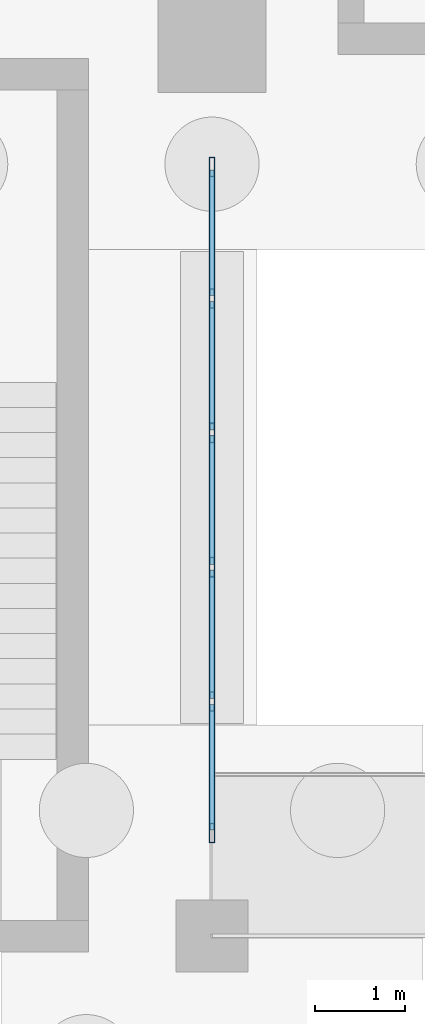
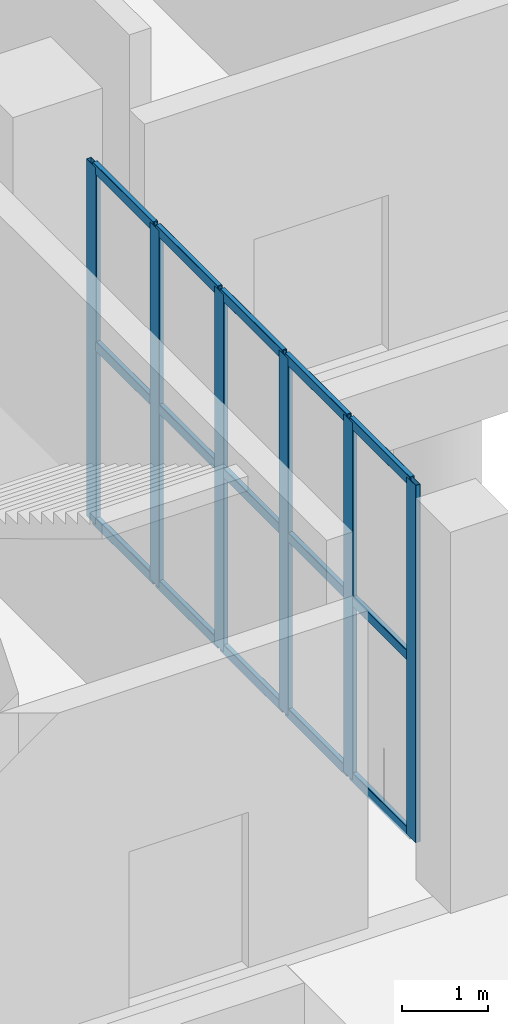
# One storey, part 36 of 70: 21 members, 1 element without a shape of its own.
"""IFC4 building model written with IfcOpenShell, lengths in metres."""

from ifc_helpers import new_model, si_unit, direction, frame, origin, origin_2d, place, context, subcontext, project, spatial, hollow_rectangle, extrude, material, layer, layer_set, material_profile, profile_set, type_object, element, aggregate, save


model = new_model("IFC4")

# Units and contexts
model_context = context("Model", 3, precision=1e-05, world=origin(), true_north=direction((0.0, 1.0)))
body_context = subcontext(model_context, "Body", "Model", "MODEL_VIEW")
ifc_project = project(units=[si_unit("LENGTHUNIT", "METRE"), si_unit("AREAUNIT", "SQUARE_METRE"), si_unit("VOLUMEUNIT", "CUBIC_METRE"), si_unit("PLANEANGLEUNIT", "RADIAN"), si_unit("MASSUNIT", "GRAM", prefix="KILO")], contexts=[model_context])

# Site, building, storey
site_placement = place(None, origin())
site = spatial("IfcSite", under=ifc_project, at=site_placement, CompositionType="ELEMENT")
building_placement = place(site_placement, origin())
building = spatial("IfcBuilding", under=site, at=building_placement, Name="Brinegate Civic Arena", CompositionType="ELEMENT")
storey_placement = place(building_placement, origin())
storey = spatial("IfcBuildingStorey", under=building, at=storey_placement, Name="L00", CompositionType="ELEMENT", Elevation=0.0)

# Curtain wall, members
ifc_material = material(Name="Marine grade aluminium", Category="aluminium")
ifc_layer = layer(ifc_material, 0.25, Name="Marine grade aluminium")
ifc_layer_set = layer_set([ifc_layer], Name="Marine grade aluminium")
curtain_wall_type = type_object("IfcCurtainWallType", Name="CW-PORTAL-SOUTH-02", PredefinedType="USERDEFINED", material=ifc_layer_set)
curtain_wall_placement = place(storey_placement, origin())
curtain_wall = element("IfcCurtainWall", 1, at=curtain_wall_placement, inside=storey, type_object=curtain_wall_type, Name="Curtain Wall CWA-009", ObjectType="PORTAL CURTAIN WALL", PredefinedType="USERDEFINED")
ifc_material_profile_1 = material_profile(ifc_material, hollow_rectangle(XDim=0.06494140625, YDim=0.219970703125, WallThickness=0.006103515625, InnerFilletRadius=0.00390625, OuterFilletRadius=0.008056640625, at=origin_2d()), Name="MUL65X220")
ifc_profile_set_1 = profile_set([ifc_material_profile_1], Name="Marine grade aluminium")
member_type_1 = type_object("IfcMemberType", Name="CW-MULLION-65X220", PredefinedType="MULLION", material=ifc_profile_set_1)
member_1_placement = place(storey_placement, frame((132.0, 1.1484375, 0.0), z_axis=(0.0, 0.0, 1.0), x_axis=(-1.0, 0.0, 0.0)))
member_1 = element("IfcMember", 2, at=member_1_placement, type_object=member_type_1, Name="CWA-009 mullion 1", PredefinedType="MULLION", context=body_context, shape_type="SweptSolid", body=[
    extrude(hollow_rectangle(XDim=0.06494140625, YDim=0.219970703125, WallThickness=0.006103515625, InnerFilletRadius=0.00390625, OuterFilletRadius=0.008056640625, at=origin_2d()), origin(), (0.0, 0.0, 1.0), 5.06005859375),
])
member_2_placement = place(storey_placement, frame((132.0, 2.613037109375, 0.0), z_axis=(0.0, 0.0, 1.0), x_axis=(-1.0, 0.0, 0.0)))
member_2 = element("IfcMember", 3, at=member_2_placement, type_object=member_type_1, Name="CWA-009 mullion 2", PredefinedType="MULLION", context=body_context, shape_type="SweptSolid", body=[
    extrude(hollow_rectangle(XDim=0.06494140625, YDim=0.219970703125, WallThickness=0.006103515625, InnerFilletRadius=0.00390625, OuterFilletRadius=0.008056640625, at=origin_2d()), origin(), (0.0, 0.0, 1.0), 5.06005859375),
])
member_3_placement = place(storey_placement, frame((132.0, 4.110107421875, 0.0), z_axis=(0.0, 0.0, 1.0), x_axis=(-1.0, 0.0, 0.0)))
member_3 = element("IfcMember", 4, at=member_3_placement, type_object=member_type_1, Name="CWA-009 mullion 3", PredefinedType="MULLION", context=body_context, shape_type="SweptSolid", body=[
    extrude(hollow_rectangle(XDim=0.06494140625, YDim=0.219970703125, WallThickness=0.006103515625, InnerFilletRadius=0.00390625, OuterFilletRadius=0.008056640625, at=origin_2d()), origin(), (0.0, 0.0, 1.0), 5.06005859375),
])
member_4_placement = place(storey_placement, frame((132.0, 5.60693359375, 0.0), z_axis=(0.0, 0.0, 1.0), x_axis=(-1.0, 0.0, 0.0)))
member_4 = element("IfcMember", 5, at=member_4_placement, type_object=member_type_1, Name="CWA-009 mullion 4", PredefinedType="MULLION", context=body_context, shape_type="SweptSolid", body=[
    extrude(hollow_rectangle(XDim=0.06494140625, YDim=0.219970703125, WallThickness=0.006103515625, InnerFilletRadius=0.00390625, OuterFilletRadius=0.008056640625, at=origin_2d()), origin(), (0.0, 0.0, 1.0), 5.06005859375),
])
member_5_placement = place(storey_placement, frame((132.0, 7.10400390625, 0.0), z_axis=(0.0, 0.0, 1.0), x_axis=(-1.0, 0.0, 0.0)))
member_5 = element("IfcMember", 6, at=member_5_placement, type_object=member_type_1, Name="CWA-009 mullion 5", PredefinedType="MULLION", context=body_context, shape_type="SweptSolid", body=[
    extrude(hollow_rectangle(XDim=0.06494140625, YDim=0.219970703125, WallThickness=0.006103515625, InnerFilletRadius=0.00390625, OuterFilletRadius=0.008056640625, at=origin_2d()), origin(), (0.0, 0.0, 1.0), 5.06005859375),
])
member_6_placement = place(storey_placement, frame((132.0, 8.568603515625, 0.0), z_axis=(0.0, 0.0, 1.0), x_axis=(-1.0, 0.0, 0.0)))
member_6 = element("IfcMember", 7, at=member_6_placement, type_object=member_type_1, Name="CWA-009 mullion 6", PredefinedType="MULLION", context=body_context, shape_type="SweptSolid", body=[
    extrude(hollow_rectangle(XDim=0.06494140625, YDim=0.219970703125, WallThickness=0.006103515625, InnerFilletRadius=0.00390625, OuterFilletRadius=0.008056640625, at=origin_2d()), origin(), (0.0, 0.0, 1.0), 5.06005859375),
])
ifc_material_profile_2 = material_profile(ifc_material, hollow_rectangle(XDim=0.06494140625, YDim=0.139892578125, WallThickness=0.0048828125, InnerFilletRadius=0.00390625, OuterFilletRadius=0.008056640625, at=origin_2d()), Name="TRN65X140")
ifc_profile_set_2 = profile_set([ifc_material_profile_2], Name="Marine grade aluminium")
member_type_2 = type_object("IfcMemberType", Name="CW-TRANSOM-65X140", PredefinedType="USERDEFINED", material=ifc_profile_set_2)
member_7_placement = place(storey_placement, frame((132.0, 1.180908203125, 0.032470703125), z_axis=(0.0, 1.0, 0.0), x_axis=(-1.0, 0.0, 0.0)))
member_7 = element("IfcMember", 8, at=member_7_placement, type_object=member_type_2, Name="CWA-009 transom 1.1", ObjectType="TRANSOM", PredefinedType="USERDEFINED", context=body_context, shape_type="SweptSolid", body=[
    extrude(hollow_rectangle(XDim=0.06494140625, YDim=0.139892578125, WallThickness=0.0048828125, InnerFilletRadius=0.00390625, OuterFilletRadius=0.008056640625, at=origin_2d()), origin(), (0.0, 0.0, 1.0), 1.399658203125),
])
member_8_placement = place(storey_placement, frame((132.0, 1.180908203125, 2.530029296875), z_axis=(0.0, 1.0, 0.0), x_axis=(-1.0, 0.0, 0.0)))
member_8 = element("IfcMember", 9, at=member_8_placement, type_object=member_type_2, Name="CWA-009 transom 1.2", ObjectType="TRANSOM", PredefinedType="USERDEFINED", context=body_context, shape_type="SweptSolid", body=[
    extrude(hollow_rectangle(XDim=0.06494140625, YDim=0.139892578125, WallThickness=0.0048828125, InnerFilletRadius=0.00390625, OuterFilletRadius=0.008056640625, at=origin_2d()), origin(), (0.0, 0.0, 1.0), 1.399658203125),
])
member_9_placement = place(storey_placement, frame((132.0, 1.180908203125, 5.027587890625), z_axis=(0.0, 1.0, 0.0), x_axis=(-1.0, 0.0, 0.0)))
member_9 = element("IfcMember", 10, at=member_9_placement, type_object=member_type_2, Name="CWA-009 transom 1.3", ObjectType="TRANSOM", PredefinedType="USERDEFINED", context=body_context, shape_type="SweptSolid", body=[
    extrude(hollow_rectangle(XDim=0.06494140625, YDim=0.139892578125, WallThickness=0.0048828125, InnerFilletRadius=0.00390625, OuterFilletRadius=0.008056640625, at=origin_2d()), origin(), (0.0, 0.0, 1.0), 1.399658203125),
])
member_10_placement = place(storey_placement, frame((132.0, 2.6455078125, 0.032470703125), z_axis=(0.0, 1.0, 0.0), x_axis=(-1.0, 0.0, 0.0)))
member_10 = element("IfcMember", 11, at=member_10_placement, type_object=member_type_2, Name="CWA-009 transom 2.1", ObjectType="TRANSOM", PredefinedType="USERDEFINED", context=body_context, shape_type="SweptSolid", body=[
    extrude(hollow_rectangle(XDim=0.06494140625, YDim=0.139892578125, WallThickness=0.0048828125, InnerFilletRadius=0.00390625, OuterFilletRadius=0.008056640625, at=origin_2d()), origin(), (0.0, 0.0, 1.0), 1.431884765625),
])
member_11_placement = place(storey_placement, frame((132.0, 2.6455078125, 2.530029296875), z_axis=(0.0, 1.0, 0.0), x_axis=(-1.0, 0.0, 0.0)))
member_11 = element("IfcMember", 12, at=member_11_placement, type_object=member_type_2, Name="CWA-009 transom 2.2", ObjectType="TRANSOM", PredefinedType="USERDEFINED", context=body_context, shape_type="SweptSolid", body=[
    extrude(hollow_rectangle(XDim=0.06494140625, YDim=0.139892578125, WallThickness=0.0048828125, InnerFilletRadius=0.00390625, OuterFilletRadius=0.008056640625, at=origin_2d()), origin(), (0.0, 0.0, 1.0), 1.431884765625),
])
member_12_placement = place(storey_placement, frame((132.0, 2.6455078125, 5.027587890625), z_axis=(0.0, 1.0, 0.0), x_axis=(-1.0, 0.0, 0.0)))
member_12 = element("IfcMember", 13, at=member_12_placement, type_object=member_type_2, Name="CWA-009 transom 2.3", ObjectType="TRANSOM", PredefinedType="USERDEFINED", context=body_context, shape_type="SweptSolid", body=[
    extrude(hollow_rectangle(XDim=0.06494140625, YDim=0.139892578125, WallThickness=0.0048828125, InnerFilletRadius=0.00390625, OuterFilletRadius=0.008056640625, at=origin_2d()), origin(), (0.0, 0.0, 1.0), 1.431884765625),
])
member_13_placement = place(storey_placement, frame((132.0, 4.142578125, 0.032470703125), z_axis=(0.0, 1.0, 0.0), x_axis=(-1.0, 0.0, 0.0)))
member_13 = element("IfcMember", 14, at=member_13_placement, type_object=member_type_2, Name="CWA-009 transom 3.1", ObjectType="TRANSOM", PredefinedType="USERDEFINED", context=body_context, shape_type="SweptSolid", body=[
    extrude(hollow_rectangle(XDim=0.06494140625, YDim=0.139892578125, WallThickness=0.0048828125, InnerFilletRadius=0.00390625, OuterFilletRadius=0.008056640625, at=origin_2d()), origin(), (0.0, 0.0, 1.0), 1.431884765625),
])
member_14_placement = place(storey_placement, frame((132.0, 4.142578125, 2.530029296875), z_axis=(0.0, 1.0, 0.0), x_axis=(-1.0, 0.0, 0.0)))
member_14 = element("IfcMember", 15, at=member_14_placement, type_object=member_type_2, Name="CWA-009 transom 3.2", ObjectType="TRANSOM", PredefinedType="USERDEFINED", context=body_context, shape_type="SweptSolid", body=[
    extrude(hollow_rectangle(XDim=0.06494140625, YDim=0.139892578125, WallThickness=0.0048828125, InnerFilletRadius=0.00390625, OuterFilletRadius=0.008056640625, at=origin_2d()), origin(), (0.0, 0.0, 1.0), 1.431884765625),
])
member_15_placement = place(storey_placement, frame((132.0, 4.142578125, 5.027587890625), z_axis=(0.0, 1.0, 0.0), x_axis=(-1.0, 0.0, 0.0)))
member_15 = element("IfcMember", 16, at=member_15_placement, type_object=member_type_2, Name="CWA-009 transom 3.3", ObjectType="TRANSOM", PredefinedType="USERDEFINED", context=body_context, shape_type="SweptSolid", body=[
    extrude(hollow_rectangle(XDim=0.06494140625, YDim=0.139892578125, WallThickness=0.0048828125, InnerFilletRadius=0.00390625, OuterFilletRadius=0.008056640625, at=origin_2d()), origin(), (0.0, 0.0, 1.0), 1.431884765625),
])
member_16_placement = place(storey_placement, frame((132.0, 5.639404296875, 0.032470703125), z_axis=(0.0, 1.0, 0.0), x_axis=(-1.0, 0.0, 0.0)))
member_16 = element("IfcMember", 17, at=member_16_placement, type_object=member_type_2, Name="CWA-009 transom 4.1", ObjectType="TRANSOM", PredefinedType="USERDEFINED", context=body_context, shape_type="SweptSolid", body=[
    extrude(hollow_rectangle(XDim=0.06494140625, YDim=0.139892578125, WallThickness=0.0048828125, InnerFilletRadius=0.00390625, OuterFilletRadius=0.008056640625, at=origin_2d()), origin(), (0.0, 0.0, 1.0), 1.43212890625),
])
member_17_placement = place(storey_placement, frame((132.0, 5.639404296875, 2.530029296875), z_axis=(0.0, 1.0, 0.0), x_axis=(-1.0, 0.0, 0.0)))
member_17 = element("IfcMember", 18, at=member_17_placement, type_object=member_type_2, Name="CWA-009 transom 4.2", ObjectType="TRANSOM", PredefinedType="USERDEFINED", context=body_context, shape_type="SweptSolid", body=[
    extrude(hollow_rectangle(XDim=0.06494140625, YDim=0.139892578125, WallThickness=0.0048828125, InnerFilletRadius=0.00390625, OuterFilletRadius=0.008056640625, at=origin_2d()), origin(), (0.0, 0.0, 1.0), 1.43212890625),
])
member_18_placement = place(storey_placement, frame((132.0, 5.639404296875, 5.027587890625), z_axis=(0.0, 1.0, 0.0), x_axis=(-1.0, 0.0, 0.0)))
member_18 = element("IfcMember", 19, at=member_18_placement, type_object=member_type_2, Name="CWA-009 transom 4.3", ObjectType="TRANSOM", PredefinedType="USERDEFINED", context=body_context, shape_type="SweptSolid", body=[
    extrude(hollow_rectangle(XDim=0.06494140625, YDim=0.139892578125, WallThickness=0.0048828125, InnerFilletRadius=0.00390625, OuterFilletRadius=0.008056640625, at=origin_2d()), origin(), (0.0, 0.0, 1.0), 1.43212890625),
])
member_19_placement = place(storey_placement, frame((132.0, 7.136474609375, 0.032470703125), z_axis=(0.0, 1.0, 0.0), x_axis=(-1.0, 0.0, 0.0)))
member_19 = element("IfcMember", 20, at=member_19_placement, type_object=member_type_2, Name="CWA-009 transom 5.1", ObjectType="TRANSOM", PredefinedType="USERDEFINED", context=body_context, shape_type="SweptSolid", body=[
    extrude(hollow_rectangle(XDim=0.06494140625, YDim=0.139892578125, WallThickness=0.0048828125, InnerFilletRadius=0.00390625, OuterFilletRadius=0.008056640625, at=origin_2d()), origin(), (0.0, 0.0, 1.0), 1.3994140625),
])
member_20_placement = place(storey_placement, frame((132.0, 7.136474609375, 2.530029296875), z_axis=(0.0, 1.0, 0.0), x_axis=(-1.0, 0.0, 0.0)))
member_20 = element("IfcMember", 21, at=member_20_placement, type_object=member_type_2, Name="CWA-009 transom 5.2", ObjectType="TRANSOM", PredefinedType="USERDEFINED", context=body_context, shape_type="SweptSolid", body=[
    extrude(hollow_rectangle(XDim=0.06494140625, YDim=0.139892578125, WallThickness=0.0048828125, InnerFilletRadius=0.00390625, OuterFilletRadius=0.008056640625, at=origin_2d()), origin(), (0.0, 0.0, 1.0), 1.3994140625),
])
member_21_placement = place(storey_placement, frame((132.0, 7.136474609375, 5.027587890625), z_axis=(0.0, 1.0, 0.0), x_axis=(-1.0, 0.0, 0.0)))
member_21 = element("IfcMember", 22, at=member_21_placement, type_object=member_type_2, Name="CWA-009 transom 5.3", ObjectType="TRANSOM", PredefinedType="USERDEFINED", context=body_context, shape_type="SweptSolid", body=[
    extrude(hollow_rectangle(XDim=0.06494140625, YDim=0.139892578125, WallThickness=0.0048828125, InnerFilletRadius=0.00390625, OuterFilletRadius=0.008056640625, at=origin_2d()), origin(), (0.0, 0.0, 1.0), 1.3994140625),
])
aggregate(curtain_wall, [member_1, member_2, member_3, member_4, member_5, member_6, member_7, member_8, member_9, member_10, member_11, member_12, member_13, member_14, member_15, member_16, member_17, member_18, member_19, member_20, member_21])

save(model, "model.ifc")
